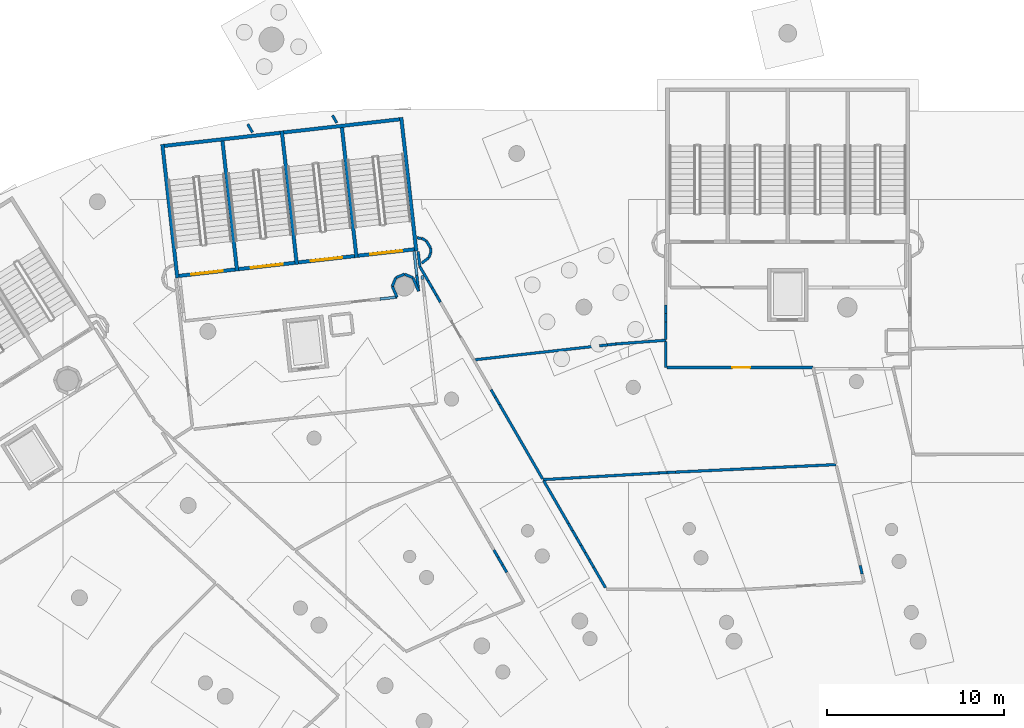
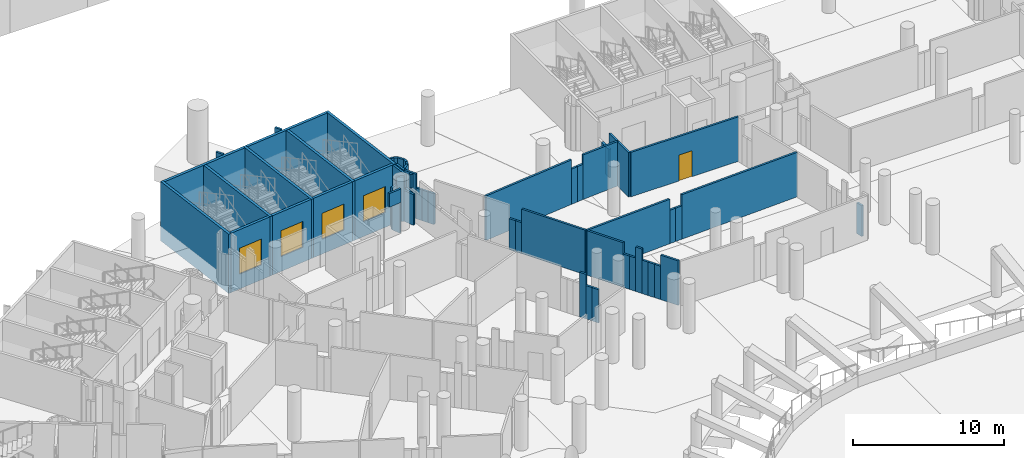
# One storey, part 78 of 142: 61 walls, 5 doors, 5 openings.
"""IFC4 building model written with IfcOpenShell, lengths in metres."""

from ifc_helpers import new_model, si_unit, direction, frame, frame_2d, origin, place, context, subcontext, project, spatial, rectangle, extrude, material, layer, layer_set, type_object, element, fill, save


model = new_model("IFC4")

# Units and contexts
model_context = context("Model", 3, precision=1e-05, world=origin(), true_north=direction((0.0, 1.0)))
body_context = subcontext(model_context, "Body", "Model", "MODEL_VIEW")
ifc_project = project(units=[si_unit("LENGTHUNIT", "METRE"), si_unit("AREAUNIT", "SQUARE_METRE"), si_unit("VOLUMEUNIT", "CUBIC_METRE"), si_unit("PLANEANGLEUNIT", "RADIAN"), si_unit("MASSUNIT", "GRAM", prefix="KILO")], contexts=[model_context])

# Site, building, storey
site_placement = place(None, origin())
site = spatial("IfcSite", under=ifc_project, at=site_placement, CompositionType="ELEMENT")
building_placement = place(site_placement, origin())
building = spatial("IfcBuilding", under=site, at=building_placement, Name="Meseta Stadium", CompositionType="ELEMENT")
storey_placement = place(building_placement, frame((0.0, 0.0, -4.0)))
storey = spatial("IfcBuildingStorey", under=building, at=storey_placement, Name="B1", CompositionType="ELEMENT", Elevation=-4.0)

# Walls
ifc_material_1 = material(Name="Concrete C40/50", Category="concrete")
ifc_layer_1 = layer(ifc_material_1, 0.199951171875)
ifc_layer_set_1 = layer_set([ifc_layer_1], Name="Core divider wall 200")
wall_type_1 = type_object("IfcWallType", Name="Core divider wall 200", PredefinedType="SHEAR", material=ifc_layer_set_1)
wall_1_placement = place(storey_placement, frame((-48.241943359375, 100.264892578125, -1.199951171875), z_axis=(0.0, 0.0, 1.0), x_axis=(0.111954577255, -0.993713325176, 0.0)))
element("IfcWall", 1, at=wall_1_placement, inside=storey, type_object=wall_type_1, Name="Core 12 B1 stair A divider wall", PredefinedType="SHEAR", context=body_context, shape_type="SweptSolid", body=[
    extrude(rectangle(XDim=7.599853515625, YDim=0.199951171875, at=frame_2d((3.7998046875, 0.0))), origin(), (0.0, 0.0, 1.0), 4.800048828125),
])
wall_2_placement = place(storey_placement, frame((-54.999267578125, 99.503662109375, -1.199951171875), z_axis=(0.0, 0.0, 1.0), x_axis=(0.111982724367, -0.993710153638, 0.0)))
element("IfcWall", 2, at=wall_2_placement, inside=storey, type_object=wall_type_1, Name="Core 12 B1 stair B divider wall", PredefinedType="SHEAR", context=body_context, shape_type="SweptSolid", body=[
    extrude(rectangle(XDim=7.60009765625, YDim=0.199951171875, at=frame_2d((3.800048828125, 0.0))), origin(), (0.0, 0.0, 1.0), 4.800048828125),
])
ifc_material_2 = material(Name="Concrete C40/50", Category="concrete")
ifc_layer_2 = layer(ifc_material_2, 0.199951171875)
ifc_layer_set_2 = layer_set([ifc_layer_2], Name="Core shaft wall 200")
wall_type_2 = type_object("IfcWallType", Name="Core shaft wall 200", PredefinedType="SHEAR", material=ifc_layer_set_2)
wall_3_placement = place(storey_placement, frame((-44.86328125, 100.645751953125, -1.199951171875), z_axis=(0.0, 0.0, 1.0), x_axis=(0.111951003472, -0.993713727802, 0.0)))
element("IfcWall", 3, at=wall_3_placement, inside=storey, type_object=wall_type_2, Name="Core 12 B1 stair wall A-side", PredefinedType="SHEAR", context=body_context, shape_type="SweptSolid", body=[
    extrude(rectangle(XDim=7.60009765625, YDim=0.199951171875, at=frame_2d((3.800048828125, 0.0))), origin(), (0.0, 0.0, 1.0), 4.800048828125),
])
wall_4_placement = place(storey_placement, frame((-51.62060546875, 99.884521484375, -1.199951171875), z_axis=(0.0, 0.0, 1.0), x_axis=(0.111947429915, -0.993714130389, 0.0)))
element("IfcWall", 4, at=wall_4_placement, inside=storey, type_object=wall_type_2, Name="Core 12 B1 stair wall shared", PredefinedType="SHEAR", context=body_context, shape_type="SweptSolid", body=[
    extrude(rectangle(XDim=7.600341796875, YDim=0.199951171875, at=frame_2d((3.80029296875, 0.0))), origin(), (0.0, 0.0, 1.0), 4.800048828125),
])
wall_5_placement = place(storey_placement, frame((-58.3779296875, 99.123046875, -1.199951171875), z_axis=(0.0, 0.0, 1.0), x_axis=(0.111982724367, -0.993710153638, 0.0)))
element("IfcWall", 5, at=wall_5_placement, inside=storey, type_object=wall_type_2, Name="Core 12 B1 stair wall B-side", PredefinedType="SHEAR", context=body_context, shape_type="SweptSolid", body=[
    extrude(rectangle(XDim=7.60009765625, YDim=0.199951171875, at=frame_2d((3.800048828125, 0.0))), origin(), (0.0, 0.0, 1.0), 4.800048828125),
])
for number, where, z_axis, x_axis, name in (
    (6, (-44.951416015625, 100.53515625, -1.199951171875), (0.0, 0.0, 1.0), (-0.993711575492, -0.111970106426, 0.0), "Core 12 B1 stair A outer end wall"),
    (7, (-51.708740234375, 99.773681640625, -1.199951171875), (0.0, 0.0, 1.0), (-0.993715690617, -0.111933579504, 0.0), "Core 12 B1 stair B outer end wall"),
):
    element("IfcWall", number, at=place(storey_placement, frame(where, z_axis=z_axis, x_axis=x_axis)), inside=storey, type_object=wall_type_2, Name=name, PredefinedType="SHEAR", context=body_context, shape_type="SweptSolid", body=[
        extrude(rectangle(XDim=6.60009765625, YDim=0.199951171875, at=frame_2d((3.300048828125, 0.0))), origin(), (0.0, 0.0, 1.0), 4.800048828125),
    ])

# Wall, opening, door
wall_6_placement = place(storey_placement, frame((-44.123046875, 93.181640625, -1.199951171875), z_axis=(0.0, 0.0, 1.0), x_axis=(-0.993717005286, -0.11192190762, 0.0)))
wall_6 = element("IfcWall", 8, at=wall_6_placement, inside=storey, type_object=wall_type_2, Name="Core 12 B1 stair A1 inner end wall", PredefinedType="SHEAR", context=body_context, shape_type="SweptSolid", body=[
    extrude(rectangle(XDim=3.199951171875, YDim=0.199951171875, at=frame_2d((1.60009765625, 0.0))), origin(), (0.0, 0.0, 1.0), 4.800048828125),
])
opening_1_placement = place(wall_6_placement, frame((0.699951171875, 0.0, 1.199951171875)))
opening_1 = element("IfcOpeningElement", 9, at=opening_1_placement, cuts=wall_6, Name="Opening D163", PredefinedType="OPENING", context=body_context, shape_type="SweptSolid", body=[
    extrude(rectangle(XDim=1.800048828125, YDim=2.10009765625, at=frame_2d((0.89990234375, 1.050048828125))), frame((0.0, 0.10986328125, 0.0), z_axis=(0.0, -1.0, 0.0), x_axis=(1.0, 0.0, 0.0)), (0.0, 0.0, 1.0), 0.219970703125),
])
ifc_material_3 = material(Name="Steel", Category="steel")
door_type_1 = type_object("IfcDoorType", Name="Stair door 1800x2100", OperationType="DOUBLE_DOOR_SINGLE_SWING", PredefinedType="DOOR", material=ifc_material_3)
door_1_placement = place(opening_1_placement, origin())
door_1 = element("IfcDoor", 10, at=door_1_placement, inside=storey, type_object=door_type_1, Name="Stair A1 door 12 B1", OperationType="DOUBLE_DOOR_SINGLE_SWING", OverallHeight=2.10009765625, OverallWidth=1.800048828125, PredefinedType="DOOR", context=body_context, shape_type="SweptSolid", body=[
    extrude(rectangle(XDim=1.800048828125, YDim=2.10009765625, at=frame_2d((0.89990234375, 1.050048828125))), frame((0.0, 0.02490234375, 0.0), z_axis=(0.0, -1.0, 0.0), x_axis=(1.0, 0.0, 0.0)), (0.0, 0.0, 1.0), 0.050048828125),
])
fill(opening_1, door_1)

wall_7_placement = place(storey_placement, frame((-47.501708984375, 92.801025390625, -1.199951171875), z_axis=(0.0, 0.0, 1.0), x_axis=(-0.993707560215, -0.112005735442, 0.0)))
wall_7 = element("IfcWall", 11, at=wall_7_placement, inside=storey, type_object=wall_type_2, Name="Core 12 B1 stair A2 inner end wall", PredefinedType="SHEAR", context=body_context, shape_type="SweptSolid", body=[
    extrude(rectangle(XDim=3.19970703125, YDim=0.199951171875, at=frame_2d((1.599853515625, 0.0))), origin(), (0.0, 0.0, 1.0), 4.800048828125),
])
opening_2_placement = place(wall_7_placement, frame((0.699951171875, 0.0, 1.199951171875)))
opening_2 = element("IfcOpeningElement", 12, at=opening_2_placement, cuts=wall_7, Name="Opening D164", PredefinedType="OPENING", context=body_context, shape_type="SweptSolid", body=[
    extrude(rectangle(XDim=1.800048828125, YDim=2.10009765625, at=frame_2d((0.89990234375, 1.050048828125))), frame((0.0, 0.10986328125, 0.0), z_axis=(0.0, -1.0, 0.0), x_axis=(1.0, 0.0, 0.0)), (0.0, 0.0, 1.0), 0.219970703125),
])
door_2_placement = place(opening_2_placement, origin())
door_2 = element("IfcDoor", 13, at=door_2_placement, inside=storey, type_object=door_type_1, Name="Stair A2 door 12 B1", OperationType="DOUBLE_DOOR_SINGLE_SWING", OverallHeight=2.10009765625, OverallWidth=1.800048828125, PredefinedType="DOOR", context=body_context, shape_type="SweptSolid", body=[
    extrude(rectangle(XDim=1.800048828125, YDim=2.10009765625, at=frame_2d((0.89990234375, 1.050048828125))), frame((0.0, 0.02490234375, 0.0), z_axis=(0.0, -1.0, 0.0), x_axis=(1.0, 0.0, 0.0)), (0.0, 0.0, 1.0), 0.050048828125),
])
fill(opening_2, door_2)

wall_8_placement = place(storey_placement, frame((-50.88037109375, 92.42041015625, -1.199951171875), z_axis=(0.0, 0.0, 1.0), x_axis=(-0.993707560215, -0.112005735442, 0.0)))
wall_8 = element("IfcWall", 14, at=wall_8_placement, inside=storey, type_object=wall_type_2, Name="Core 12 B1 stair B1 inner end wall", PredefinedType="SHEAR", context=body_context, shape_type="SweptSolid", body=[
    extrude(rectangle(XDim=3.19970703125, YDim=0.199951171875, at=frame_2d((1.599853515625, 0.0))), origin(), (0.0, 0.0, 1.0), 4.800048828125),
])
opening_3_placement = place(wall_8_placement, frame((0.699951171875, 0.0, 1.199951171875)))
opening_3 = element("IfcOpeningElement", 15, at=opening_3_placement, cuts=wall_8, Name="Opening D165", PredefinedType="OPENING", context=body_context, shape_type="SweptSolid", body=[
    extrude(rectangle(XDim=1.800048828125, YDim=2.10009765625, at=frame_2d((0.89990234375, 1.050048828125))), frame((0.0, 0.10986328125, 0.0), z_axis=(0.0, -1.0, 0.0), x_axis=(1.0, 0.0, 0.0)), (0.0, 0.0, 1.0), 0.219970703125),
])
door_3_placement = place(opening_3_placement, origin())
door_3 = element("IfcDoor", 16, at=door_3_placement, inside=storey, type_object=door_type_1, Name="Stair B1 door 12 B1", OperationType="DOUBLE_DOOR_SINGLE_SWING", OverallHeight=2.10009765625, OverallWidth=1.800048828125, PredefinedType="DOOR", context=body_context, shape_type="SweptSolid", body=[
    extrude(rectangle(XDim=1.800048828125, YDim=2.10009765625, at=frame_2d((0.89990234375, 1.050048828125))), frame((0.0, 0.02490234375, 0.0), z_axis=(0.0, -1.0, 0.0), x_axis=(1.0, 0.0, 0.0)), (0.0, 0.0, 1.0), 0.050048828125),
])
fill(opening_3, door_3)

wall_9_placement = place(storey_placement, frame((-54.2587890625, 92.03955078125, -1.199951171875), z_axis=(0.0, 0.0, 1.0), x_axis=(-0.993717005286, -0.11192190762, 0.0)))
wall_9 = element("IfcWall", 17, at=wall_9_placement, inside=storey, type_object=wall_type_2, Name="Core 12 B1 stair B2 inner end wall", PredefinedType="SHEAR", context=body_context, shape_type="SweptSolid", body=[
    extrude(rectangle(XDim=3.199951171875, YDim=0.199951171875, at=frame_2d((1.60009765625, 0.0))), origin(), (0.0, 0.0, 1.0), 4.800048828125),
])
opening_4_placement = place(wall_9_placement, frame((0.699951171875, 0.0, 1.199951171875)))
opening_4 = element("IfcOpeningElement", 18, at=opening_4_placement, cuts=wall_9, Name="Opening D166", PredefinedType="OPENING", context=body_context, shape_type="SweptSolid", body=[
    extrude(rectangle(XDim=1.800048828125, YDim=2.10009765625, at=frame_2d((0.89990234375, 1.050048828125))), frame((0.0, 0.10986328125, 0.0), z_axis=(0.0, -1.0, 0.0), x_axis=(1.0, 0.0, 0.0)), (0.0, 0.0, 1.0), 0.219970703125),
])
door_4_placement = place(opening_4_placement, origin())
door_4 = element("IfcDoor", 19, at=door_4_placement, inside=storey, type_object=door_type_1, Name="Stair B2 door 12 B1", OperationType="DOUBLE_DOOR_SINGLE_SWING", OverallHeight=2.10009765625, OverallWidth=1.800048828125, PredefinedType="DOOR", context=body_context, shape_type="SweptSolid", body=[
    extrude(rectangle(XDim=1.800048828125, YDim=2.10009765625, at=frame_2d((0.89990234375, 1.050048828125))), frame((0.0, 0.02490234375, 0.0), z_axis=(0.0, -1.0, 0.0), x_axis=(1.0, 0.0, 0.0)), (0.0, 0.0, 1.0), 0.050048828125),
])
fill(opening_4, door_4)

# Walls
ifc_material_4 = material(Name="Masonry blockwork", Category="masonry")
ifc_layer_3 = layer(ifc_material_4, 0.14990234375)
ifc_layer_set_3 = layer_set([ifc_layer_3], Name="Partition 150")
wall_type_3 = type_object("IfcWallType", Name="Partition 150", PredefinedType="PARTITIONING", material=ifc_layer_set_3)
wall_10_placement = place(storey_placement, frame((-36.84228515625, 80.15380859375, 0.0), z_axis=(0.0, 0.0, 1.0), x_axis=(0.998361145806, 0.057227812689, 0.0)))
element("IfcWall", 20, at=wall_10_placement, inside=storey, type_object=wall_type_3, Name="Partition B1 B1-cell10-1-0", PredefinedType="PARTITIONING", context=body_context, shape_type="SweptSolid", body=[
    extrude(rectangle(XDim=6.561279296875, YDim=0.14990234375, at=frame_2d((3.28076171875, 0.0))), origin(), (0.0, 0.0, 1.0), 3.60009765625),
])
wall_11_placement = place(storey_placement, frame((-30.291748046875, 80.529296875, 0.0), z_axis=(0.0, 0.0, 1.0), x_axis=(0.998356035671, 0.057316891401, 0.0)))
element("IfcWall", 21, at=wall_11_placement, inside=storey, type_object=wall_type_3, Name="Partition B1 B1-cell10-1-0", PredefinedType="PARTITIONING", context=body_context, shape_type="SweptSolid", body=[
    extrude(rectangle(XDim=0.468505859375, YDim=0.14990234375, at=frame_2d((0.234375, 0.0))), origin(), (0.0, 0.0, 1.0), 2.699951171875),
])
wall_12_placement = place(storey_placement, frame((-29.823974609375, 80.55615234375, 0.0), z_axis=(0.0, 0.0, 1.0), x_axis=(0.998899071447, 0.046911033473, 0.0)))
element("IfcWall", 22, at=wall_12_placement, inside=storey, type_object=wall_type_3, Name="Partition B1 B1-cell10-1-0", PredefinedType="PARTITIONING", context=body_context, shape_type="SweptSolid", body=[
    extrude(rectangle(XDim=0.478759765625, YDim=0.14990234375, at=frame_2d((0.2392578125, 0.0))), origin(), (0.0, 0.0, 1.0), 2.699951171875),
])
wall_13_placement = place(storey_placement, frame((-29.345703125, 80.57861328125, 0.0), z_axis=(0.0, 0.0, 1.0), x_axis=(0.998901839674, 0.04685205113, 0.0)))
element("IfcWall", 23, at=wall_13_placement, inside=storey, type_object=wall_type_3, Name="Partition B1 B1-cell10-1-0", PredefinedType="PARTITIONING", context=body_context, shape_type="SweptSolid", body=[
    extrude(rectangle(XDim=9.093017578125, YDim=0.14990234375, at=frame_2d((4.54638671875, 0.0))), origin(), (0.0, 0.0, 1.0), 3.60009765625),
])
wall_14_placement = place(storey_placement, frame((-18.903564453125, 75.29638671875, 0.0), z_axis=(0.0, 0.0, 1.0), x_axis=(0.23171054262, -0.972784778067, 0.0)))
element("IfcWall", 24, at=wall_14_placement, inside=storey, type_object=wall_type_3, Name="Partition B1 B1-cell10-1-0", PredefinedType="PARTITIONING", context=body_context, shape_type="SweptSolid", body=[
    extrude(rectangle(XDim=0.48876953125, YDim=0.14990234375, at=frame_2d((0.244384765625, 0.0))), origin(), (0.0, 0.0, 1.0), 2.5),
])
wall_15_placement = place(storey_placement, frame((-33.307373046875, 74.0380859375, 0.0), z_axis=(0.0, 0.0, 1.0), x_axis=(-0.500498691125, 0.865737292822, 0.0)))
element("IfcWall", 25, at=wall_15_placement, inside=storey, type_object=wall_type_3, Name="Partition B1 B1-cell10-1-0", PredefinedType="PARTITIONING", context=body_context, shape_type="SweptSolid", body=[
    extrude(rectangle(XDim=1.343017578125, YDim=0.14990234375, at=frame_2d((0.67138671875, 0.0))), origin(), (0.0, 0.0, 1.0), 3.60009765625),
])
for number, where, z_axis, x_axis, name in (
    (26, (-33.9794921875, 75.20068359375, 0.0), (0.0, 0.0, 1.0), (-0.500269066908, 0.865870002192, 0.0), "Partition B1 B1-cell10-1-0"),
    (27, (-34.218017578125, 75.613525390625, 0.0), (0.0, 0.0, 1.0), (-0.500269066908, 0.865870002192, 0.0), "Partition B1 B1-cell10-1-0"),
    (28, (-34.45654296875, 76.0263671875, 0.0), (0.0, 0.0, 1.0), (-0.500269066908, 0.865870002192, 0.0), "Partition B1 B1-cell10-1-0"),
):
    element("IfcWall", number, at=place(storey_placement, frame(where, z_axis=z_axis, x_axis=x_axis)), inside=storey, type_object=wall_type_3, Name=name, PredefinedType="PARTITIONING", context=body_context, shape_type="SweptSolid", body=[
        extrude(rectangle(XDim=0.476806640625, YDim=0.14990234375, at=frame_2d((0.23828125, 0.0))), origin(), (0.0, 0.0, 1.0), 2.699951171875),
    ])
wall_16_placement = place(storey_placement, frame((-34.695068359375, 76.439208984375, 0.0), z_axis=(0.0, 0.0, 1.0), x_axis=(-0.500490950841, 0.865741767576, 0.0)))
element("IfcWall", 29, at=wall_16_placement, inside=storey, type_object=wall_type_3, Name="Partition B1 B1-cell10-1-0", PredefinedType="PARTITIONING", context=body_context, shape_type="SweptSolid", body=[
    extrude(rectangle(XDim=0.4765625, YDim=0.14990234375, at=frame_2d((0.23828125, 0.0))), origin(), (0.0, 0.0, 1.0), 3.60009765625),
])
for number, where, z_axis, x_axis, name in (
    (30, (-34.93359375, 76.851806640625, 0.0), (0.0, 0.0, 1.0), (-0.500874756494, 0.865519773493, 0.0), "Partition B1 B1-cell10-1-0"),
    (31, (-35.17236328125, 77.264404296875, 0.0), (0.0, 0.0, 1.0), (-0.500269066908, 0.865870002192, 0.0), "Partition B1 B1-cell10-1-0"),
):
    element("IfcWall", number, at=place(storey_placement, frame(where, z_axis=z_axis, x_axis=x_axis)), inside=storey, type_object=wall_type_3, Name=name, PredefinedType="PARTITIONING", context=body_context, shape_type="SweptSolid", body=[
        extrude(rectangle(XDim=0.476806640625, YDim=0.14990234375, at=frame_2d((0.23828125, 0.0))), origin(), (0.0, 0.0, 1.0), 2.699951171875),
    ])
wall_17_placement = place(storey_placement, frame((-35.410888671875, 77.67724609375, 0.0), z_axis=(0.0, 0.0, 1.0), x_axis=(-0.500422625408, 0.865781263357, 0.0)))
element("IfcWall", 32, at=wall_17_placement, inside=storey, type_object=wall_type_3, Name="Partition B1 B1-cell10-1-0", PredefinedType="PARTITIONING", context=body_context, shape_type="SweptSolid", body=[
    extrude(rectangle(XDim=2.7763671875, YDim=0.14990234375, at=frame_2d((1.38818359375, 0.0))), origin(), (0.0, 0.0, 1.0), 3.60009765625),
])
wall_18_placement = place(storey_placement, frame((-36.8671875, 80.197021484375, 0.0), z_axis=(0.0, 0.0, 1.0), x_axis=(-0.50047176729, 0.865752857429, 0.0)))
element("IfcWall", 33, at=wall_18_placement, inside=storey, type_object=wall_type_3, Name="Partition B1 B1-cell10-2-0", PredefinedType="PARTITIONING", context=body_context, shape_type="SweptSolid", body=[
    extrude(rectangle(XDim=4.859619140625, YDim=0.14990234375, at=frame_2d((2.4296875, 0.0))), origin(), (0.0, 0.0, 1.0), 3.60009765625),
])
for number, where, z_axis, x_axis, name in (
    (34, (-39.29931640625, 84.404296875, 0.0), (0.0, 0.0, 1.0), (-0.500461757949, 0.86575864352, 0.0), "Partition B1 B1-cell10-2-0"),
    (35, (-39.54248046875, 84.824951171875, 0.0), (0.0, 0.0, 1.0), (-0.500461757949, 0.86575864352, 0.0), "Partition B1 B1-cell10-2-0"),
):
    element("IfcWall", number, at=place(storey_placement, frame(where, z_axis=z_axis, x_axis=x_axis)), inside=storey, type_object=wall_type_3, Name=name, PredefinedType="PARTITIONING", context=body_context, shape_type="SweptSolid", body=[
        extrude(rectangle(XDim=0.48583984375, YDim=0.14990234375, at=frame_2d((0.242919921875, 0.0))), origin(), (0.0, 0.0, 1.0), 2.5),
    ])
wall_19_placement = place(storey_placement, frame((-40.677001953125, 86.937744140625, 0.0), z_axis=(0.0, 0.0, 1.0), x_axis=(0.993791931288, 0.11125465072, 0.0)))
element("IfcWall", 36, at=wall_19_placement, inside=storey, type_object=wall_type_3, Name="Partition B1 B1-cell10-2-0", PredefinedType="PARTITIONING", context=body_context, shape_type="SweptSolid", body=[
    extrude(rectangle(XDim=7.06396484375, YDim=0.14990234375, at=frame_2d((3.531982421875, 0.0))), origin(), (0.0, 0.0, 1.0), 3.60009765625),
])
for number, where, z_axis, x_axis, name in (
    (37, (-33.656982421875, 87.7236328125, 0.0), (0.0, 0.0, 1.0), (0.993795917507, 0.111219037699, 0.0), "Partition B1 B1-cell10-2-0"),
    (38, (-33.18359375, 87.776611328125, 0.0), (0.0, 0.0, 1.0), (0.993795917507, 0.111219037699, 0.0), "Partition B1 B1-cell10-2-0"),
):
    element("IfcWall", number, at=place(storey_placement, frame(where, z_axis=z_axis, x_axis=x_axis)), inside=storey, type_object=wall_type_3, Name=name, PredefinedType="PARTITIONING", context=body_context, shape_type="SweptSolid", body=[
        extrude(rectangle(XDim=0.476318359375, YDim=0.14990234375, at=frame_2d((0.23828125, 0.0))), origin(), (0.0, 0.0, 1.0), 2.85009765625),
    ])
wall_20_placement = place(storey_placement, frame((-32.710205078125, 87.82958984375, 0.0), z_axis=(0.0, 0.0, 1.0), x_axis=(0.997265626559, 0.07390040652, 0.0)))
element("IfcWall", 39, at=wall_20_placement, inside=storey, type_object=wall_type_3, Name="Partition B1 B1-cell10-2-0", PredefinedType="PARTITIONING", context=body_context, shape_type="SweptSolid", body=[
    extrude(rectangle(XDim=2.818115234375, YDim=0.14990234375, at=frame_2d((1.4091796875, 0.0))), origin(), (0.0, 0.0, 1.0), 3.60009765625),
])
wall_21_placement = place(storey_placement, frame((-29.89990234375, 87.962646484375, 0.0), z_axis=(0.0, 0.0, 1.0), x_axis=(0.0, -1.0, 0.0)))
element("IfcWall", 40, at=wall_21_placement, inside=storey, type_object=wall_type_3, Name="Partition B1 B1-cell10-2-0", PredefinedType="PARTITIONING", context=body_context, shape_type="SweptSolid", body=[
    extrude(rectangle(XDim=1.462646484375, YDim=0.14990234375, at=frame_2d((0.7314453125, 0.0))), origin(), (0.0, 0.0, 1.0), 3.60009765625),
])

# Wall, opening, door
wall_22_placement = place(storey_placement, frame((-29.824951171875, 86.5, 0.0), z_axis=(0.0, 0.0, 1.0), x_axis=(1.0, 0.0, 0.0)))
wall_22 = element("IfcWall", 41, at=wall_22_placement, inside=storey, type_object=wall_type_3, Name="Partition B1 B1-cell10-2-0", PredefinedType="PARTITIONING", context=body_context, shape_type="SweptSolid", body=[
    extrude(rectangle(XDim=8.25390625, YDim=0.14990234375, at=frame_2d((4.126953125, 0.0))), origin(), (0.0, 0.0, 1.0), 3.60009765625),
])
opening_5_placement = place(wall_22_placement, frame((3.699951171875, 0.0, 0.0)))
opening_5 = element("IfcOpeningElement", 42, at=opening_5_placement, cuts=wall_22, Name="Opening D462", PredefinedType="OPENING", context=body_context, shape_type="SweptSolid", body=[
    extrude(rectangle(XDim=1.0, YDim=2.10009765625, at=frame_2d((0.5, 1.050048828125))), frame((0.0, 0.0849609375, 0.0), z_axis=(0.0, -1.0, 0.0), x_axis=(1.0, 0.0, 0.0)), (0.0, 0.0, 1.0), 0.169921875),
])
ifc_material_5 = material(Name="Steel", Category="steel")
door_type_2 = type_object("IfcDoorType", Name="Fire door 1000x2100 EI2 120", OperationType="NOTDEFINED", PredefinedType="DOOR", material=ifc_material_5)
door_5_placement = place(opening_5_placement, origin())
door_5 = element("IfcDoor", 43, at=door_5_placement, inside=storey, type_object=door_type_2, Name="Door D462", OperationType="SINGLE_SWING_RIGHT", OverallHeight=2.10009765625, OverallWidth=1.0, PredefinedType="DOOR", context=body_context, shape_type="SweptSolid", body=[
    extrude(rectangle(XDim=1.0, YDim=2.10009765625, at=frame_2d((0.5, 1.050048828125))), frame((0.0, 0.02490234375, 0.0), z_axis=(0.0, -1.0, 0.0), x_axis=(1.0, 0.0, 0.0)), (0.0, 0.0, 1.0), 0.050048828125),
])
fill(opening_5, door_5)

# Walls
wall_23_placement = place(storey_placement, frame((-48.508056640625, 100.335693359375, 0.0), z_axis=(0.0, 0.0, 1.0), x_axis=(-0.50016937228, 0.865927594567, 0.0)))
element("IfcWall", 44, at=wall_23_placement, inside=storey, type_object=wall_type_3, Name="Partition B1 B1-cell10-3-0", PredefinedType="PARTITIONING", context=body_context, shape_type="SweptSolid", body=[
    extrude(rectangle(XDim=0.488525390625, YDim=0.14990234375, at=frame_2d((0.244140625, 0.0))), origin(), (0.0, 0.0, 1.0), 3.60009765625),
])
for number, where, z_axis, x_axis, name in (
    (45, (-42.6474609375, 90.19677734375, 0.0), (0.0, 0.0, 1.0), (-0.500705555752, 0.865617667587, 0.0), "Partition B1 B1-cell10-3-0"),
    (46, (-42.880615234375, 90.599853515625, 0.0), (0.0, 0.0, 1.0), (-0.500312546965, 0.865844879496, 0.0), "Partition B1 B1-cell10-3-0"),
    (47, (-43.113525390625, 91.0029296875, 0.0), (0.0, 0.0, 1.0), (-0.500312546965, 0.865844879496, 0.0), "Partition B1 B1-cell10-3-0"),
):
    element("IfcWall", number, at=place(storey_placement, frame(where, z_axis=z_axis, x_axis=x_axis)), inside=storey, type_object=wall_type_3, Name=name, PredefinedType="PARTITIONING", context=body_context, shape_type="SweptSolid", body=[
        extrude(rectangle(XDim=0.465576171875, YDim=0.14990234375, at=frame_2d((0.23291015625, 0.0))), origin(), (0.0, 0.0, 1.0), 2.5),
    ])
wall_24_placement = place(storey_placement, frame((-43.346435546875, 91.406005859375, 0.0), z_axis=(0.0, 0.0, 1.0), x_axis=(-0.500395505551, 0.865796938101, 0.0)))
element("IfcWall", 48, at=wall_24_placement, inside=storey, type_object=wall_type_3, Name="Partition B1 B1-cell10-3-0", PredefinedType="PARTITIONING", context=body_context, shape_type="SweptSolid", body=[
    extrude(rectangle(XDim=0.931396484375, YDim=0.14990234375, at=frame_2d((0.4658203125, 0.0))), origin(), (0.0, 0.0, 1.0), 3.60009765625),
])
wall_25_placement = place(storey_placement, frame((-43.8125, 92.21240234375, 0.0), z_axis=(0.0, 0.0, 1.0), x_axis=(-0.112117924941, 0.993694908363, 0.0)))
element("IfcWall", 49, at=wall_25_placement, inside=storey, type_object=wall_type_3, Name="Partition B1 B1-cell10-3-0", PredefinedType="PARTITIONING", context=body_context, shape_type="SweptSolid", body=[
    extrude(rectangle(XDim=0.85791015625, YDim=0.14990234375, at=frame_2d((0.428955078125, 0.0))), origin(), (0.0, 0.0, 1.0), 3.60009765625),
])
wall_26_placement = place(storey_placement, frame((-29.89990234375, 90.041259765625, 0.0), z_axis=(0.0, 0.0, 1.0), x_axis=(0.0, -1.0, 0.0)))
element("IfcWall", 50, at=wall_26_placement, inside=storey, type_object=wall_type_3, Name="Partition B1 B1-cell10-3-0", PredefinedType="PARTITIONING", context=body_context, shape_type="SweptSolid", body=[
    extrude(rectangle(XDim=0.48828125, YDim=0.14990234375, at=frame_2d((0.244140625, 0.0))), origin(), (0.0, 0.0, 1.0), 2.300048828125),
])
wall_27_placement = place(storey_placement, frame((-29.89990234375, 89.552978515625, 0.0), z_axis=(0.0, 0.0, 1.0), x_axis=(0.0, -1.0, 0.0)))
element("IfcWall", 51, at=wall_27_placement, inside=storey, type_object=wall_type_3, Name="Partition B1 B1-cell10-3-0", PredefinedType="PARTITIONING", context=body_context, shape_type="SweptSolid", body=[
    extrude(rectangle(XDim=0.488525390625, YDim=0.14990234375, at=frame_2d((0.244140625, 0.0))), origin(), (0.0, 0.0, 1.0), 2.300048828125),
])
wall_28_placement = place(storey_placement, frame((-29.89990234375, 89.064453125, 0.0), z_axis=(0.0, 0.0, 1.0), x_axis=(0.0, -1.0, 0.0)))
element("IfcWall", 52, at=wall_28_placement, inside=storey, type_object=wall_type_3, Name="Partition B1 B1-cell10-3-0", PredefinedType="PARTITIONING", context=body_context, shape_type="SweptSolid", body=[
    extrude(rectangle(XDim=0.976806640625, YDim=0.14990234375, at=frame_2d((0.48828125, 0.0))), origin(), (0.0, 0.0, 1.0), 3.60009765625),
])
wall_29_placement = place(storey_placement, frame((-39.62451171875, 76.1748046875, 0.0), z_axis=(0.0, 0.0, 1.0), x_axis=(0.500185652474, -0.865918190743, 0.0)))
element("IfcWall", 53, at=wall_29_placement, inside=storey, type_object=wall_type_3, Name="Partition B1 B1-cell11-1-0", PredefinedType="PARTITIONING", context=body_context, shape_type="SweptSolid", body=[
    extrude(rectangle(XDim=0.486572265625, YDim=0.14990234375, at=frame_2d((0.2431640625, 0.0))), origin(), (0.0, 0.0, 1.0), 3.60009765625),
])
for number, where, z_axis, x_axis, name in (
    (54, (-39.381103515625, 75.75341796875, 0.0), (0.0, 0.0, 1.0), (0.500561685777, -0.865700871394, 0.0), "Partition B1 B1-cell11-1-0"),
    (55, (-39.137451171875, 75.33203125, 0.0), (0.0, 0.0, 1.0), (0.500561685777, -0.865700871394, 0.0), "Partition B1 B1-cell11-1-0"),
):
    element("IfcWall", number, at=place(storey_placement, frame(where, z_axis=z_axis, x_axis=x_axis)), inside=storey, type_object=wall_type_3, Name=name, PredefinedType="PARTITIONING", context=body_context, shape_type="SweptSolid", body=[
        extrude(rectangle(XDim=0.48681640625, YDim=0.14990234375, at=frame_2d((0.243408203125, 0.0))), origin(), (0.0, 0.0, 1.0), 2.699951171875),
    ])
wall_30_placement = place(storey_placement, frame((-53.547119140625, 100.260986328125, 0.0), z_axis=(0.0, 0.0, 1.0), x_axis=(0.500460168826, -0.86575956213, 0.0)))
element("IfcWall", 56, at=wall_30_placement, inside=storey, type_object=wall_type_3, Name="Partition B1 B1-cell11-3-0", PredefinedType="PARTITIONING", context=body_context, shape_type="SweptSolid", body=[
    extrude(rectangle(XDim=0.53466796875, YDim=0.14990234375, at=frame_2d((0.267333984375, 0.0))), origin(), (0.0, 0.0, 1.0), 3.60009765625),
])
wall_31_placement = place(storey_placement, frame((-46.06591796875, 90.37158203125, 2.5), z_axis=(0.0, 0.0, 1.0), x_axis=(0.993735169268, 0.111760517894, 0.0)))
element("IfcWall", 57, at=wall_31_placement, inside=storey, type_object=wall_type_3, Name="Stair vestibule wall B1 core 12", PredefinedType="PARTITIONING", context=body_context, shape_type="SweptSolid", body=[
    extrude(rectangle(XDim=0.9677734375, YDim=0.14990234375, at=frame_2d((0.48388671875, 0.0))), origin(), (0.0, 0.0, 1.0), 1.10009765625),
])
wall_32_placement = place(storey_placement, frame((-45.104248046875, 90.479736328125, 0.0), z_axis=(0.0, 0.0, 1.0), x_axis=(-0.396702631354, 0.917947178369, 0.0)))
element("IfcWall", 58, at=wall_32_placement, inside=storey, type_object=wall_type_3, Name="Stair vestibule wall B1 core 12", PredefinedType="PARTITIONING", context=body_context, shape_type="SweptSolid", body=[
    extrude(rectangle(XDim=0.66650390625, YDim=0.14990234375, at=frame_2d((0.333251953125, 0.0))), origin(), (0.0, 0.0, 1.0), 2.5),
])
wall_33_placement = place(storey_placement, frame((-45.36865234375, 91.091552734375, 0.0), z_axis=(0.0, 0.0, 1.0), x_axis=(0.382831074092, 0.923818363484, 0.0)))
element("IfcWall", 59, at=wall_33_placement, inside=storey, type_object=wall_type_3, Name="Stair vestibule wall B1 core 12", PredefinedType="PARTITIONING", context=body_context, shape_type="SweptSolid", body=[
    extrude(rectangle(XDim=0.52490234375, YDim=0.14990234375, at=frame_2d((0.262451171875, 0.0))), origin(), (0.0, 0.0, 1.0), 2.5),
])
wall_34_placement = place(storey_placement, frame((-45.167724609375, 91.576416015625, 0.0), z_axis=(0.0, 0.0, 1.0), x_axis=(0.923954536818, 0.382502305735, 0.0)))
element("IfcWall", 60, at=wall_34_placement, inside=storey, type_object=wall_type_3, Name="Stair vestibule wall B1 core 12", PredefinedType="PARTITIONING", context=body_context, shape_type="SweptSolid", body=[
    extrude(rectangle(XDim=0.525390625, YDim=0.14990234375, at=frame_2d((0.2626953125, 0.0))), origin(), (0.0, 0.0, 1.0), 3.0),
])
wall_35_placement = place(storey_placement, frame((-44.682373046875, 91.77734375, 0.0), z_axis=(0.0, 0.0, 1.0), x_axis=(0.923886494024, -0.382666625355, 0.0)))
element("IfcWall", 61, at=wall_35_placement, inside=storey, type_object=wall_type_3, Name="Stair vestibule wall B1 core 12", PredefinedType="PARTITIONING", context=body_context, shape_type="SweptSolid", body=[
    extrude(rectangle(XDim=0.525146484375, YDim=0.14990234375, at=frame_2d((0.2626953125, 0.0))), origin(), (0.0, 0.0, 1.0), 3.60009765625),
])
wall_36_placement = place(storey_placement, frame((-44.197265625, 91.576416015625, 0.0), z_axis=(0.0, 0.0, 1.0), x_axis=(0.382848633097, -0.923811086822, 0.0)))
element("IfcWall", 62, at=wall_36_placement, inside=storey, type_object=wall_type_3, Name="Stair vestibule wall B1 core 12", PredefinedType="PARTITIONING", context=body_context, shape_type="SweptSolid", body=[
    extrude(rectangle(XDim=0.824462890625, YDim=0.14990234375, at=frame_2d((0.412109375, 0.0))), origin(), (0.0, 0.0, 1.0), 2.5),
])
wall_37_placement = place(storey_placement, frame((-43.881591796875, 90.814697265625, 0.0), z_axis=(0.0, 0.0, 1.0), x_axis=(-0.111895707458, 0.993719955849, 0.0)))
element("IfcWall", 63, at=wall_37_placement, inside=storey, type_object=wall_type_3, Name="Stair vestibule wall B1 core 12", PredefinedType="PARTITIONING", context=body_context, shape_type="SweptSolid", body=[
    extrude(rectangle(XDim=2.26904296875, YDim=0.14990234375, at=frame_2d((1.134521484375, 0.0))), origin(), (0.0, 0.0, 1.0), 2.5),
])
wall_38_placement = place(storey_placement, frame((-43.983154296875, 91.716796875, 2.5), z_axis=(0.0, 0.0, 1.0), x_axis=(-0.111907672209, 0.993718608511, 0.0)))
element("IfcWall", 64, at=wall_38_placement, inside=storey, type_object=wall_type_3, Name="Stair vestibule wall B1 core 12", PredefinedType="PARTITIONING", context=body_context, shape_type="SweptSolid", body=[
    extrude(rectangle(XDim=1.361328125, YDim=0.14990234375, at=frame_2d((0.6806640625, 0.0))), origin(), (0.0, 0.0, 1.0), 1.10009765625),
])
wall_39_placement = place(storey_placement, frame((-43.65478515625, 91.4833984375, 2.5), z_axis=(0.0, 0.0, 1.0), x_axis=(-0.112597137897, 0.993640722061, 0.0)))
element("IfcWall", 65, at=wall_39_placement, inside=storey, type_object=wall_type_3, Name="Stair vestibule wall B1 core 12", PredefinedType="PARTITIONING", context=body_context, shape_type="SweptSolid", body=[
    extrude(rectangle(XDim=0.210205078125, YDim=0.14990234375, at=frame_2d((0.10498046875, 0.0))), origin(), (0.0, 0.0, 1.0), 1.10009765625),
])
wall_40_placement = place(storey_placement, frame((-43.703857421875, 92.40087890625, 0.0), z_axis=(0.0, 0.0, 1.0), x_axis=(0.795767393102, 0.605602391074, 0.0)))
element("IfcWall", 66, at=wall_40_placement, inside=storey, type_object=wall_type_3, Name="Stair vestibule wall B1 core 12", PredefinedType="PARTITIONING", context=body_context, shape_type="SweptSolid", body=[
    extrude(rectangle(XDim=0.500732421875, YDim=0.14990234375, at=frame_2d((0.25048828125, 0.0))), origin(), (0.0, 0.0, 1.0), 3.60009765625),
])
for number, where, z_axis, x_axis, name in (
    (67, (-43.305419921875, 92.7041015625, 0.0), (0.0, 0.0, 1.0), (0.369643945252, 0.929173478818, 0.0), "Stair vestibule wall B1 core 12"),
    (68, (-43.198486328125, 92.972900390625, 0.0), (0.0, 0.0, 1.0), (-0.014344515533, 0.999897112144, 0.0), "Stair vestibule wall B1 core 12"),
):
    element("IfcWall", number, at=place(storey_placement, frame(where, z_axis=z_axis, x_axis=x_axis)), inside=storey, type_object=wall_type_3, Name=name, PredefinedType="PARTITIONING", context=body_context, shape_type="SweptSolid", body=[
        extrude(rectangle(XDim=0.289306640625, YDim=0.14990234375, at=frame_2d((0.14453125, 0.0))), origin(), (0.0, 0.0, 1.0), 3.60009765625),
    ])
wall_41_placement = place(storey_placement, frame((-43.20263671875, 93.26220703125, 0.0), z_axis=(0.0, 0.0, 1.0), x_axis=(-0.526056545072, 0.850449593678, 0.0)))
element("IfcWall", 69, at=wall_41_placement, inside=storey, type_object=wall_type_3, Name="Stair vestibule wall B1 core 12", PredefinedType="PARTITIONING", context=body_context, shape_type="SweptSolid", body=[
    extrude(rectangle(XDim=0.4794921875, YDim=0.14990234375, at=frame_2d((0.23974609375, 0.0))), origin(), (0.0, 0.0, 1.0), 3.60009765625),
])
wall_42_placement = place(storey_placement, frame((-43.454833984375, 93.669921875, 0.0), z_axis=(0.0, 0.0, 1.0), x_axis=(-0.888587212909, 0.458707712007, 0.0)))
element("IfcWall", 70, at=wall_42_placement, inside=storey, type_object=wall_type_3, Name="Stair vestibule wall B1 core 12", PredefinedType="PARTITIONING", context=body_context, shape_type="SweptSolid", body=[
    extrude(rectangle(XDim=0.287841796875, YDim=0.14990234375, at=frame_2d((0.14404296875, 0.0))), origin(), (0.0, 0.0, 1.0), 3.60009765625),
])
wall_43_placement = place(storey_placement, frame((-43.710693359375, 93.802001953125, 0.0), z_axis=(0.0, 0.0, 1.0), x_axis=(-0.992737210656, 0.120303078009, 0.0)))
element("IfcWall", 71, at=wall_43_placement, inside=storey, type_object=wall_type_3, Name="Stair vestibule wall B1 core 12", PredefinedType="PARTITIONING", context=body_context, shape_type="SweptSolid", body=[
    extrude(rectangle(XDim=0.2578125, YDim=0.14990234375, at=frame_2d((0.12890625, 0.0))), origin(), (0.0, 0.0, 1.0), 3.60009765625),
])

save(model, "model.ifc")
